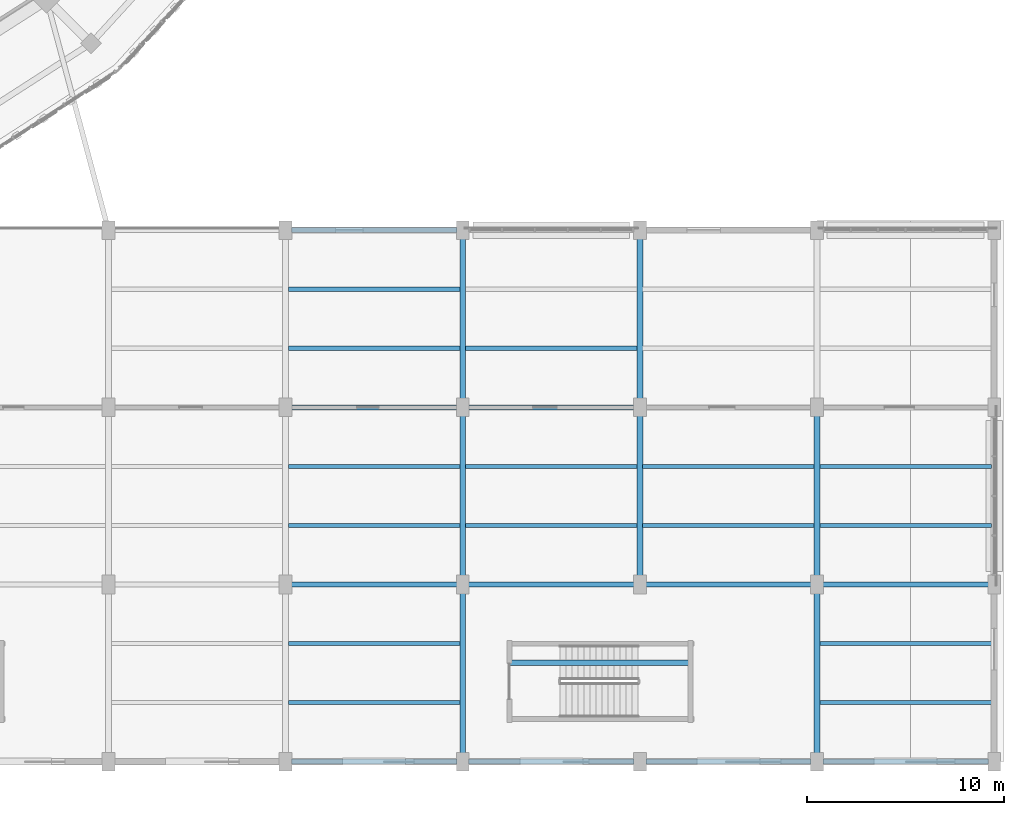
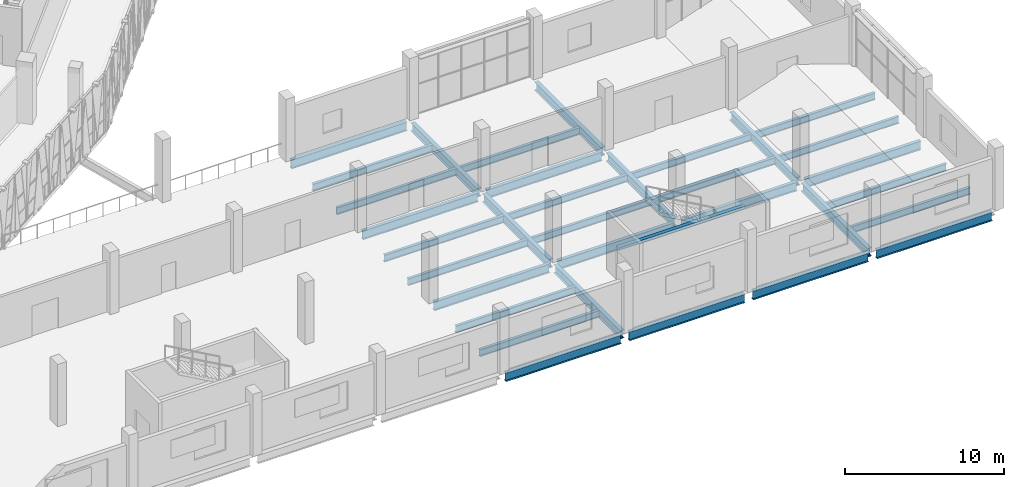
# One storey, part 36 of 179: 34 beams.
"""IFC4 building model written with IfcOpenShell, lengths in metres."""

from ifc_helpers import new_model, si_unit, direction, frame, origin, origin_2d, place, context, subcontext, project, spatial, rectangle, i_section, extrude, material, material_profile, profile_set, type_object, element, save


model = new_model("IFC4")

# Units and contexts
model_context = context("Model", 3, precision=1e-05, world=origin(), true_north=direction((0.0, 1.0)))
body_context = subcontext(model_context, "Body", "Model", "MODEL_VIEW")
ifc_project = project(units=[si_unit("LENGTHUNIT", "METRE"), si_unit("AREAUNIT", "SQUARE_METRE"), si_unit("VOLUMEUNIT", "CUBIC_METRE"), si_unit("PLANEANGLEUNIT", "RADIAN"), si_unit("MASSUNIT", "GRAM", prefix="KILO")], contexts=[model_context])

# Site, building, storey
site_placement = place(None, origin())
site = spatial("IfcSite", under=ifc_project, at=site_placement, CompositionType="ELEMENT")
building_placement = place(site_placement, origin())
building = spatial("IfcBuilding", under=site, at=building_placement, Name="Zevraka Park Crest Stadium", CompositionType="ELEMENT")
storey_placement = place(building_placement, frame((0.0, 0.0, 10.199951171875)))
storey = spatial("IfcBuildingStorey", under=building, at=storey_placement, Name="L02", CompositionType="ELEMENT", Elevation=10.199951171875)

# Beams
ifc_material_1 = material(Name="Steel S355", Category="steel")
ifc_material_profile_1 = material_profile(ifc_material_1, i_section(OverallWidth=0.253662109375, OverallDepth=0.68359375, WebThickness=0.012451171875, FlangeThickness=0.01904296875, at=origin_2d()), Name="UKB 686x254x140")
ifc_profile_set_1 = profile_set([ifc_material_profile_1], Name="Steel S355")
beam_type_1 = type_object("IfcBeamType", Name="BG05", PredefinedType="BEAM", material=ifc_profile_set_1)
for number, where, z_axis, x_axis, name in (
    (1, (188.300048828125, 0.0, -0.629638671875), (1.0, 0.0, 0.0), (0.0, 1.0, 0.0), "Wing Girder BG05 L02-2122/A"),
    (2, (188.300048828125, 9.0, -0.629638671875), (1.0, 0.0, 0.0), (0.0, 1.0, 0.0), "Wing Girder BG05 L02-2122/B"),
    (3, (188.300048828125, 18.0, -0.629638671875), (1.0, 0.0, 0.0), (0.0, 1.0, 0.0), "Wing Girder BG05 L02-2122/C"),
    (4, (188.300048828125, 27.0, -0.629638671875), (1.0, 0.0, 0.0), (0.0, 1.0, 0.0), "Wing Girder BG05 L02-2122/D"),
    (5, (197.300048828125, 0.0, -0.629638671875), (1.0, 0.0, 0.0), (0.0, 1.0, 0.0), "Wing Girder BG05 L02-2223/A"),
    (6, (197.300048828125, 9.0, -0.629638671875), (1.0, 0.0, 0.0), (0.0, 1.0, 0.0), "Wing Girder BG05 L02-2223/B"),
    (7, (197.300048828125, 18.0, -0.629638671875), (1.0, 0.0, 0.0), (0.0, 1.0, 0.0), "Wing Girder BG05 L02-2223/C"),
    (8, (206.300048828125, 0.0, -0.629638671875), (1.0, 0.0, 0.0), (0.0, 1.0, 0.0), "Wing Girder BG05 L02-2324/A"),
    (9, (206.300048828125, 9.0, -0.629638671875), (1.0, 0.0, 0.0), (0.0, 1.0, 0.0), "Wing Girder BG05 L02-2324/B"),
    (10, (215.300048828125, 0.0, -0.629638671875), (1.0, 0.0, 0.0), (0.0, 1.0, 0.0), "Wing Girder BG05 L02-2425/A"),
    (11, (215.300048828125, 9.0, -0.629638671875), (1.0, 0.0, 0.0), (0.0, 1.0, 0.0), "Wing Girder BG05 L02-2425/B"),
):
    element("IfcBeam", number, at=place(storey_placement, frame(where, z_axis=z_axis, x_axis=x_axis)), inside=storey, type_object=beam_type_1, Name=name, PredefinedType="BEAM", context=body_context, shape_type="SweptSolid", body=[
        extrude(i_section(OverallWidth=0.253662109375, OverallDepth=0.68359375, WebThickness=0.012451171875, FlangeThickness=0.01904296875, at=origin_2d()), origin(), (0.0, 0.0, 1.0), 8.39990234375),
    ])
ifc_material_2 = material(Name="Steel S355", Category="steel")
ifc_material_profile_2 = material_profile(ifc_material_2, i_section(OverallWidth=0.300048828125, OverallDepth=0.64990234375, WebThickness=0.01611328125, FlangeThickness=0.031005859375, at=origin_2d()), Name="HEB 650")
ifc_profile_set_2 = profile_set([ifc_material_profile_2], Name="Steel S355")
beam_type_2 = type_object("IfcBeamType", Name="BG07", PredefinedType="BEAM", material=ifc_profile_set_2)
for number, where, z_axis, x_axis, name in (
    (12, (197.0, 0.300048828125, -0.613037109375), (0.0, 1.0, 0.0), (-1.0, 0.0, 0.0), "Wing Girder BG07 L02-22/AB"),
    (13, (197.0, 9.300048828125, -0.613037109375), (0.0, 1.0, 0.0), (-1.0, 0.0, 0.0), "Wing Girder BG07 L02-22/BC"),
    (14, (197.0, 18.300048828125, -0.613037109375), (0.0, 1.0, 0.0), (-1.0, 0.0, 0.0), "Wing Girder BG07 L02-22/CD"),
    (15, (206.0, 9.300048828125, -0.613037109375), (0.0, 1.0, 0.0), (-1.0, 0.0, 0.0), "Wing Girder BG07 L02-23/BC"),
    (16, (206.0, 18.300048828125, -0.613037109375), (0.0, 1.0, 0.0), (-1.0, 0.0, 0.0), "Wing Girder BG07 L02-23/CD"),
    (17, (215.0, 0.300048828125, -0.613037109375), (0.0, 1.0, 0.0), (-1.0, 0.0, 0.0), "Wing Girder BG07 L02-24/AB"),
    (18, (215.0, 9.300048828125, -0.613037109375), (0.0, 1.0, 0.0), (-1.0, 0.0, 0.0), "Wing Girder BG07 L02-24/BC"),
):
    element("IfcBeam", number, at=place(storey_placement, frame(where, z_axis=z_axis, x_axis=x_axis)), inside=storey, type_object=beam_type_2, Name=name, PredefinedType="BEAM", context=body_context, shape_type="SweptSolid", body=[
        extrude(i_section(OverallWidth=0.300048828125, OverallDepth=0.64990234375, WebThickness=0.01611328125, FlangeThickness=0.031005859375, at=origin_2d()), origin(), (0.0, 0.0, 1.0), 8.39990234375),
    ])
ifc_material_3 = material(Name="Steel S355", Category="steel")
ifc_material_profile_3 = material_profile(ifc_material_3, i_section(OverallWidth=0.209228515625, OverallDepth=0.533203125, WebThickness=0.010009765625, FlangeThickness=0.015625, at=origin_2d()), Name="UKB 533x210x92")
ifc_profile_set_3 = profile_set([ifc_material_profile_3], Name="Steel S355")
beam_type_3 = type_object("IfcBeamType", Name="SJ05", PredefinedType="JOIST", material=ifc_profile_set_3)
for number, where, z_axis, x_axis, name in (
    (19, (188.14501953125, 3.0, -0.556396484375), (1.0, 0.0, 0.0), (0.0, 1.0, 0.0), "Wing Joist SJ05 L02-21/A-1"),
    (20, (188.14501953125, 6.0, -0.556396484375), (1.0, 0.0, 0.0), (0.0, 1.0, 0.0), "Wing Joist SJ05 L02-21/A-2"),
    (21, (188.14501953125, 12.0, -0.556396484375), (1.0, 0.0, 0.0), (0.0, 1.0, 0.0), "Wing Joist SJ05 L02-21/B-1"),
    (22, (188.14501953125, 15.0, -0.556396484375), (1.0, 0.0, 0.0), (0.0, 1.0, 0.0), "Wing Joist SJ05 L02-21/B-2"),
    (23, (188.14501953125, 21.0, -0.556396484375), (1.0, 0.0, 0.0), (0.0, 1.0, 0.0), "Wing Joist SJ05 L02-21/C-1"),
    (24, (188.14501953125, 24.0, -0.556396484375), (1.0, 0.0, 0.0), (0.0, 1.0, 0.0), "Wing Joist SJ05 L02-21/C-2"),
    (25, (197.14501953125, 12.0, -0.556396484375), (1.0, 0.0, 0.0), (0.0, 1.0, 0.0), "Wing Joist SJ05 L02-22/B-1"),
    (26, (197.14501953125, 15.0, -0.556396484375), (1.0, 0.0, 0.0), (0.0, 1.0, 0.0), "Wing Joist SJ05 L02-22/B-2"),
    (27, (197.14501953125, 21.0, -0.556396484375), (1.0, 0.0, 0.0), (0.0, 1.0, 0.0), "Wing Joist SJ05 L02-22/C-1"),
    (28, (206.14501953125, 12.0, -0.556396484375), (1.0, 0.0, 0.0), (0.0, 1.0, 0.0), "Wing Joist SJ05 L02-23/B-1"),
    (29, (206.14501953125, 15.0, -0.556396484375), (1.0, 0.0, 0.0), (0.0, 1.0, 0.0), "Wing Joist SJ05 L02-23/B-2"),
    (30, (215.14501953125, 3.0, -0.556396484375), (1.0, 0.0, 0.0), (0.0, 1.0, 0.0), "Wing Joist SJ05 L02-24/A-1"),
    (31, (215.14501953125, 6.0, -0.556396484375), (1.0, 0.0, 0.0), (0.0, 1.0, 0.0), "Wing Joist SJ05 L02-24/A-2"),
    (32, (215.14501953125, 12.0, -0.556396484375), (1.0, 0.0, 0.0), (0.0, 1.0, 0.0), "Wing Joist SJ05 L02-24/B-1"),
    (33, (215.14501953125, 15.0, -0.556396484375), (1.0, 0.0, 0.0), (0.0, 1.0, 0.0), "Wing Joist SJ05 L02-24/B-2"),
):
    element("IfcBeam", number, at=place(storey_placement, frame(where, z_axis=z_axis, x_axis=x_axis)), inside=storey, type_object=beam_type_3, Name=name, PredefinedType="JOIST", context=body_context, shape_type="SweptSolid", body=[
        extrude(i_section(OverallWidth=0.209228515625, OverallDepth=0.533203125, WebThickness=0.010009765625, FlangeThickness=0.015625, at=origin_2d()), origin(), (0.0, 0.0, 1.0), 8.7099609375),
    ])
ifc_material_4 = material(Name="Concrete C40/50", Category="concrete")
ifc_material_profile_4 = material_profile(ifc_material_4, rectangle(XDim=0.280029296875, YDim=0.199951171875, at=origin_2d()), Name="RC 200x280")
ifc_profile_set_4 = profile_set([ifc_material_profile_4], Name="Concrete C40/50")
beam_type_4 = type_object("IfcBeamType", Name="SJ13", PredefinedType="JOIST", material=ifc_profile_set_4)
beam_placement = place(storey_placement, frame((199.39990234375, 5.034912109375, 2.300048828125), z_axis=(1.0, 0.0, 0.0), x_axis=(0.0, 1.0, 0.0)))
element("IfcBeam", 34, at=beam_placement, inside=storey, type_object=beam_type_4, Name="Stair Upper-Flight Longitudinal Stringer SJ13 ST54-L02", PredefinedType="JOIST", context=body_context, shape_type="SweptSolid", body=[
    extrude(rectangle(XDim=0.280029296875, YDim=0.199951171875, at=origin_2d()), origin(), (0.0, 0.0, 1.0), 9.2001953125),
])

save(model, "model.ifc")
